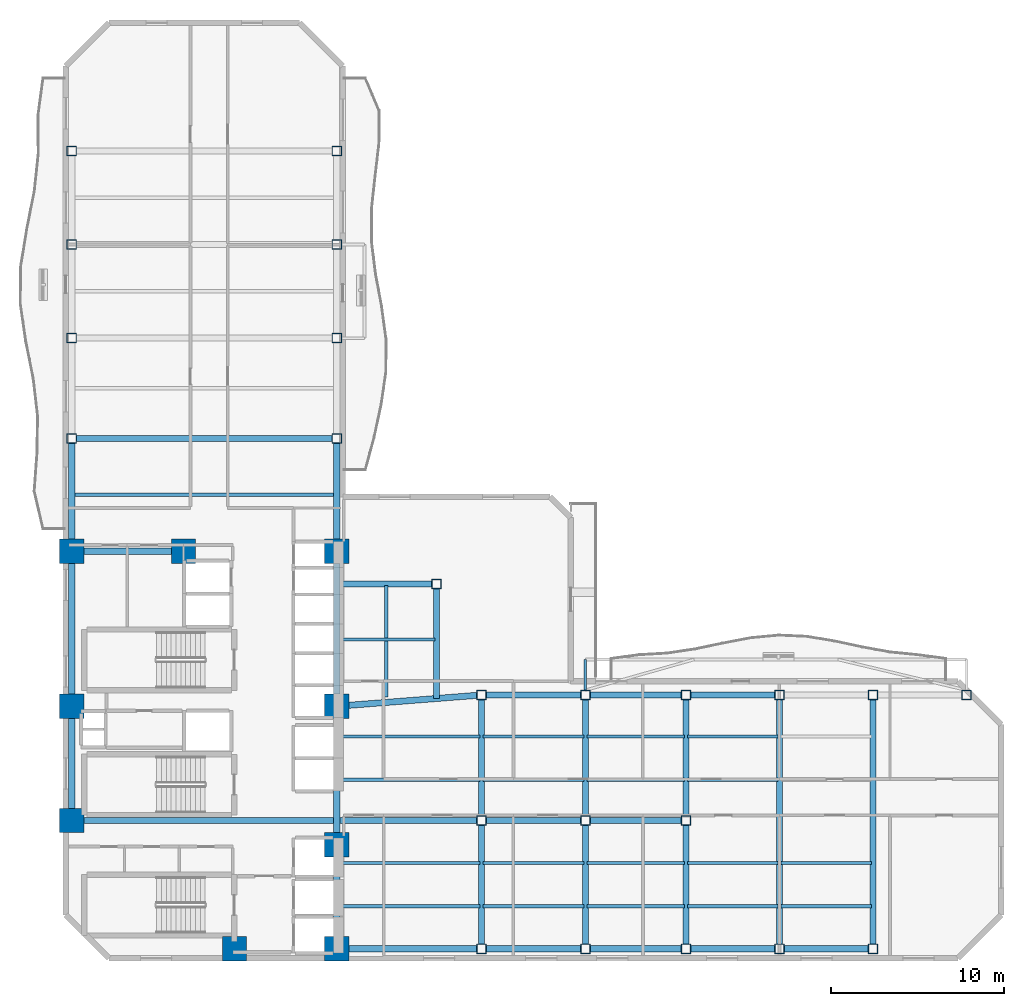
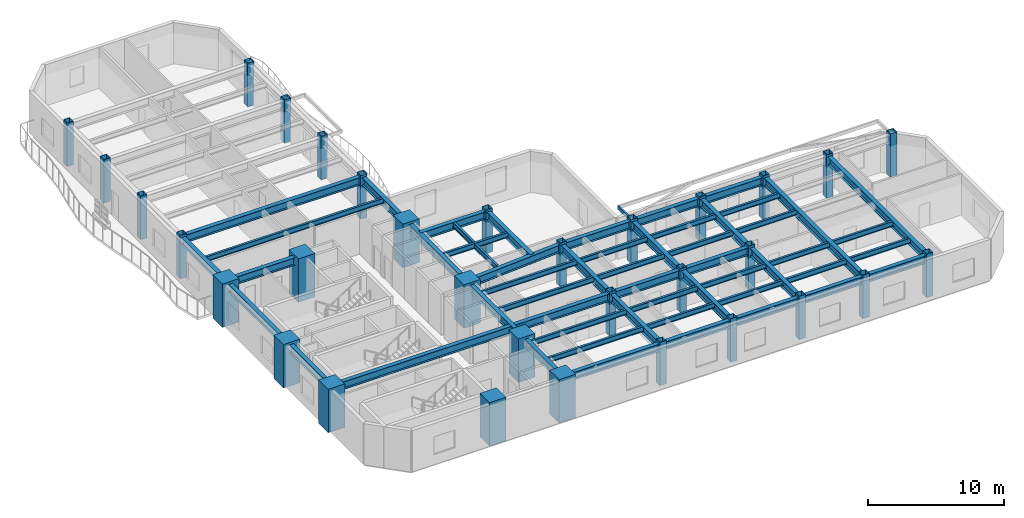
# One storey, part 1 of 10: 53 beams, 32 columns.
"""IFC4 building model written with IfcOpenShell, lengths in metres."""

from ifc_helpers import new_model, si_unit, direction, frame, origin, origin_2d, place, context, subcontext, project, spatial, rectangle, hollow_rectangle, i_section, extrude, material, material_profile, profile_set, type_object, element, save


model = new_model("IFC4")

# Units and contexts
model_context = context("Model", 3, precision=1e-05, world=origin(), true_north=direction((0.0, 1.0)))
body_context = subcontext(model_context, "Body", "Model", "MODEL_VIEW")
ifc_project = project(units=[si_unit("LENGTHUNIT", "METRE"), si_unit("AREAUNIT", "SQUARE_METRE"), si_unit("VOLUMEUNIT", "CUBIC_METRE"), si_unit("PLANEANGLEUNIT", "RADIAN"), si_unit("MASSUNIT", "GRAM", prefix="KILO")], contexts=[model_context])

# Site, building, storey
site_placement = place(None, origin())
site = spatial("IfcSite", under=ifc_project, at=site_placement, CompositionType="ELEMENT")
building_placement = place(site_placement, origin())
building = spatial("IfcBuilding", under=site, at=building_placement, Name="Mawjaban Terraces University", CompositionType="ELEMENT")
storey_placement = place(building_placement, frame((0.0, 0.0, 62.199951171875)))
storey = spatial("IfcBuildingStorey", under=building, at=storey_placement, Name="L14", CompositionType="ELEMENT", Elevation=62.199951171875)

# Columns
ifc_material_1 = material(Name="Concrete C70/85", Category="concrete")
ifc_material_profile_1 = material_profile(ifc_material_1, rectangle(XDim=1.39990234375, YDim=1.39990234375, at=origin_2d()), Name="RC1400X1400")
ifc_profile_set_1 = profile_set([ifc_material_profile_1], Name="Concrete C70/85")
column_type_1 = type_object("IfcColumnType", Name="Col_RC1400X1400", PredefinedType="COLUMN", material=ifc_profile_set_1)
for number, where, z_axis, x_axis, name in (
    (1, (31.75, 0.550048828125, 0.0), (0.0, 0.0, 1.0), (1.0, 0.0, 0.0), "L14 Column CC2"),
    (2, (37.64990234375, 0.550048828125, 0.0), (0.0, 0.0, 1.0), (1.0, 0.0, 0.0), "L14 Column CC3"),
    (3, (22.35009765625, 7.949951171875, 0.0), (0.0, 0.0, 1.0), (1.0, 0.0, 0.0), "L14 Column CC4"),
    (4, (37.64990234375, 6.550048828125, 0.0), (0.0, 0.0, 1.0), (1.0, 0.0, 0.0), "L14 Column CC5"),
    (5, (22.35009765625, 14.550048828125, 0.0), (0.0, 0.0, 1.0), (1.0, 0.0, 0.0), "L14 Column CC6"),
    (6, (37.64990234375, 14.550048828125, 0.0), (0.0, 0.0, 1.0), (1.0, 0.0, 0.0), "L14 Column CC7"),
    (7, (22.35009765625, 23.5, 0.0), (0.0, 0.0, 1.0), (1.0, 0.0, 0.0), "L14 Column CC8"),
    (8, (28.800048828125, 23.5, 0.0), (0.0, 0.0, 1.0), (1.0, 0.0, 0.0), "L14 Column CC9"),
    (9, (37.64990234375, 23.5, 0.0), (0.0, 0.0, 1.0), (1.0, 0.0, 0.0), "L14 Column CC10"),
):
    element("IfcColumn", number, at=place(storey_placement, frame(where, z_axis=z_axis, x_axis=x_axis)), inside=storey, type_object=column_type_1, Name=name, PredefinedType="COLUMN", context=body_context, shape_type="SweptSolid", body=[
        extrude(rectangle(XDim=1.39990234375, YDim=1.39990234375, at=origin_2d()), origin(), (0.0, 0.0, 1.0), 3.900146484375),
    ])
ifc_material_2 = material(Name="Steel EN 10210-1 S355J2H", Category="steel")
ifc_material_profile_2 = material_profile(ifc_material_2, hollow_rectangle(XDim=0.550048828125, YDim=0.550048828125, WallThickness=0.02490234375, at=origin_2d()), Name="SHS550X550X25")
ifc_profile_set_2 = profile_set([ifc_material_profile_2], Name="Steel EN 10210-1 S355J2H")
column_type_2 = type_object("IfcColumnType", Name="Col_SHS550X550X25", PredefinedType="COLUMN", material=ifc_profile_set_2)
for number, where, z_axis, x_axis, name in (
    (10, (46.0, 0.550048828125, 0.0), (0.0, 0.0, 1.0), (1.0, 0.0, 0.0), "L14 Column TE-460-005"),
    (11, (46.0, 7.949951171875, 0.0), (0.0, 0.0, 1.0), (1.0, 0.0, 0.0), "L14 Column TE-460-080"),
    (12, (46.0, 15.199951171875, 0.0), (0.0, 0.0, 1.0), (1.0, 0.0, 0.0), "L14 Column TE-460-152"),
    (13, (52.0, 0.550048828125, 0.0), (0.0, 0.0, 1.0), (1.0, 0.0, 0.0), "L14 Column TE-520-005"),
    (14, (52.0, 7.949951171875, 0.0), (0.0, 0.0, 1.0), (1.0, 0.0, 0.0), "L14 Column TE-520-080"),
    (15, (52.0, 15.199951171875, 0.0), (0.0, 0.0, 1.0), (1.0, 0.0, 0.0), "L14 Column TE-520-152"),
    (16, (57.800048828125, 0.550048828125, 0.0), (0.0, 0.0, 1.0), (1.0, 0.0, 0.0), "L14 Column TE-578-005"),
    (17, (57.800048828125, 7.949951171875, 0.0), (0.0, 0.0, 1.0), (1.0, 0.0, 0.0), "L14 Column TE-578-080"),
    (18, (57.800048828125, 15.199951171875, 0.0), (0.0, 0.0, 1.0), (1.0, 0.0, 0.0), "L14 Column TE-578-152"),
    (19, (63.199951171875, 0.550048828125, 0.0), (0.0, 0.0, 1.0), (1.0, 0.0, 0.0), "L14 Column TE-632-005"),
    (20, (63.199951171875, 15.199951171875, 0.0), (0.0, 0.0, 1.0), (1.0, 0.0, 0.0), "L14 Column TE-632-152"),
    (21, (68.60009765625, 0.550048828125, 0.0), (0.0, 0.0, 1.0), (1.0, 0.0, 0.0), "L14 Column TE-686-005"),
    (22, (68.60009765625, 15.199951171875, 0.0), (0.0, 0.0, 1.0), (1.0, 0.0, 0.0), "L14 Column TE-686-152"),
    (23, (74.0, 15.199951171875, 0.0), (0.0, 0.0, 1.0), (1.0, 0.0, 0.0), "L14 Column TE-740-152"),
    (24, (22.35009765625, 30.0, 0.0), (0.0, 0.0, 1.0), (1.0, 0.0, 0.0), "L14 Column TN-223-300"),
    (25, (37.64990234375, 30.0, 0.0), (0.0, 0.0, 1.0), (1.0, 0.0, 0.0), "L14 Column TN-376-300"),
    (26, (22.35009765625, 35.800048828125, 0.0), (0.0, 0.0, 1.0), (1.0, 0.0, 0.0), "L14 Column TN-223-358"),
    (27, (37.64990234375, 35.800048828125, 0.0), (0.0, 0.0, 1.0), (1.0, 0.0, 0.0), "L14 Column TN-376-358"),
    (28, (22.35009765625, 41.199951171875, 0.0), (0.0, 0.0, 1.0), (1.0, 0.0, 0.0), "L14 Column TN-223-412"),
    (29, (37.64990234375, 41.199951171875, 0.0), (0.0, 0.0, 1.0), (1.0, 0.0, 0.0), "L14 Column TN-376-412"),
    (30, (22.35009765625, 46.60009765625, 0.0), (0.0, 0.0, 1.0), (1.0, 0.0, 0.0), "L14 Column TN-223-466"),
    (31, (37.64990234375, 46.60009765625, 0.0), (0.0, 0.0, 1.0), (1.0, 0.0, 0.0), "L14 Column TN-376-466"),
    (32, (43.39990234375, 21.60009765625, 0.0), (0.0, 0.0, 1.0), (1.0, 0.0, 0.0), "L14 Column TS-434-216"),
):
    element("IfcColumn", number, at=place(storey_placement, frame(where, z_axis=z_axis, x_axis=x_axis)), inside=storey, type_object=column_type_2, Name=name, PredefinedType="COLUMN", context=body_context, shape_type="SweptSolid", body=[
        extrude(hollow_rectangle(XDim=0.550048828125, YDim=0.550048828125, WallThickness=0.02490234375, at=origin_2d()), origin(), (0.0, 0.0, 1.0), 3.900146484375),
    ])

# Beams
ifc_material_profile_3 = material_profile(ifc_material_2, hollow_rectangle(XDim=0.14990234375, YDim=0.300048828125, WallThickness=0.012451171875, at=origin_2d()), Name="RHS300X150X12.5")
ifc_profile_set_3 = profile_set([ifc_material_profile_3], Name="Steel EN 10210-1 S355J2H")
beam_type_1 = type_object("IfcBeamType", Name="BalconyCantileverSpandrel_RHS", PredefinedType="SPANDREL", material=ifc_profile_set_3)
beam_1_placement = place(storey_placement, frame((52.0, 15.47509765625, 3.5400390625), z_axis=(0.0, 1.0, 0.0), x_axis=(-1.0, 0.0, 0.0)))
element("IfcBeam", 33, at=beam_1_placement, inside=storey, type_object=beam_type_1, Name="L14 Exterior Outrigger BAL-L15-N.1", PredefinedType="SPANDREL", context=body_context, shape_type="SweptSolid", body=[
    extrude(hollow_rectangle(XDim=0.14990234375, YDim=0.300048828125, WallThickness=0.012451171875, at=origin_2d()), origin(), (0.0, 0.0, 1.0), 1.77490234375),
])
ifc_material_3 = material(Name="Steel ASTM A572 Grade 50", Category="steel")
ifc_material_profile_4 = material_profile(ifc_material_3, i_section(OverallWidth=0.35498046875, OverallDepth=0.695068359375, WebThickness=0.015380859375, FlangeThickness=0.02490234375, at=origin_2d()), Name="W690X217")
ifc_profile_set_4 = profile_set([ifc_material_profile_4], Name="Steel ASTM A572 Grade 50")
beam_type_2 = type_object("IfcBeamType", Name="Beam_B_W690X217", PredefinedType="BEAM", material=ifc_profile_set_4)
beam_2_placement = place(storey_placement, frame((38.35009765625, 0.550048828125, 3.343017578125), z_axis=(1.0, 0.0, 0.0), x_axis=(0.0, 1.0, 0.0)))
element("IfcBeam", 34, at=beam_2_placement, inside=storey, type_object=beam_type_2, Name="L14 Beam BM-L14-EW-01", PredefinedType="BEAM", context=body_context, shape_type="SweptSolid", body=[
    extrude(i_section(OverallWidth=0.35498046875, OverallDepth=0.695068359375, WebThickness=0.015380859375, FlangeThickness=0.02490234375, at=origin_2d()), origin(), (0.0, 0.0, 1.0), 7.375),
])
beam_3_placement = place(storey_placement, frame((46.27490234375, 0.550048828125, 3.343017578125), z_axis=(1.0, 0.0, 0.0), x_axis=(0.0, 1.0, 0.0)))
element("IfcBeam", 35, at=beam_3_placement, inside=storey, type_object=beam_type_2, Name="L14 Beam BM-L14-EW-02", PredefinedType="BEAM", context=body_context, shape_type="SweptSolid", body=[
    extrude(i_section(OverallWidth=0.35498046875, OverallDepth=0.695068359375, WebThickness=0.015380859375, FlangeThickness=0.02490234375, at=origin_2d()), origin(), (0.0, 0.0, 1.0), 5.4501953125),
])
beam_4_placement = place(storey_placement, frame((52.27490234375, 0.550048828125, 3.343017578125), z_axis=(1.0, 0.0, 0.0), x_axis=(0.0, 1.0, 0.0)))
element("IfcBeam", 36, at=beam_4_placement, inside=storey, type_object=beam_type_2, Name="L14 Beam BM-L14-EW-03", PredefinedType="BEAM", context=body_context, shape_type="SweptSolid", body=[
    extrude(i_section(OverallWidth=0.35498046875, OverallDepth=0.695068359375, WebThickness=0.015380859375, FlangeThickness=0.02490234375, at=origin_2d()), origin(), (0.0, 0.0, 1.0), 5.25),
])
beam_5_placement = place(storey_placement, frame((58.074951171875, 0.550048828125, 3.343017578125), z_axis=(1.0, 0.0, 0.0), x_axis=(0.0, 1.0, 0.0)))
element("IfcBeam", 37, at=beam_5_placement, inside=storey, type_object=beam_type_2, Name="L14 Beam BM-L14-EW-04", PredefinedType="BEAM", context=body_context, shape_type="SweptSolid", body=[
    extrude(i_section(OverallWidth=0.35498046875, OverallDepth=0.695068359375, WebThickness=0.015380859375, FlangeThickness=0.02490234375, at=origin_2d()), origin(), (0.0, 0.0, 1.0), 4.85009765625),
])
beam_6_placement = place(storey_placement, frame((63.47509765625, 0.550048828125, 3.343017578125), z_axis=(1.0, 0.0, 0.0), x_axis=(0.0, 1.0, 0.0)))
element("IfcBeam", 38, at=beam_6_placement, inside=storey, type_object=beam_type_2, Name="L14 Beam BM-L14-EW-05", PredefinedType="BEAM", context=body_context, shape_type="SweptSolid", body=[
    extrude(i_section(OverallWidth=0.35498046875, OverallDepth=0.695068359375, WebThickness=0.015380859375, FlangeThickness=0.02490234375, at=origin_2d()), origin(), (0.0, 0.0, 1.0), 4.849853515625),
])
beam_7_placement = place(storey_placement, frame((23.050048828125, 7.949951171875, 3.343017578125), z_axis=(1.0, 0.0, 0.0), x_axis=(0.0, 1.0, 0.0)))
element("IfcBeam", 39, at=beam_7_placement, inside=storey, type_object=beam_type_2, Name="L14 Beam BM-L14-EW-06", PredefinedType="BEAM", context=body_context, shape_type="SweptSolid", body=[
    extrude(i_section(OverallWidth=0.35498046875, OverallDepth=0.695068359375, WebThickness=0.015380859375, FlangeThickness=0.02490234375, at=origin_2d()), origin(), (0.0, 0.0, 1.0), 22.675048828125),
])
beam_8_placement = place(storey_placement, frame((46.27490234375, 7.949951171875, 3.343017578125), z_axis=(1.0, 0.0, 0.0), x_axis=(0.0, 1.0, 0.0)))
element("IfcBeam", 40, at=beam_8_placement, inside=storey, type_object=beam_type_2, Name="L14 Beam BM-L14-EW-07", PredefinedType="BEAM", context=body_context, shape_type="SweptSolid", body=[
    extrude(i_section(OverallWidth=0.35498046875, OverallDepth=0.695068359375, WebThickness=0.015380859375, FlangeThickness=0.02490234375, at=origin_2d()), origin(), (0.0, 0.0, 1.0), 5.4501953125),
])
beam_9_placement = place(storey_placement, frame((52.27490234375, 7.949951171875, 3.343017578125), z_axis=(1.0, 0.0, 0.0), x_axis=(0.0, 1.0, 0.0)))
element("IfcBeam", 41, at=beam_9_placement, inside=storey, type_object=beam_type_2, Name="L14 Beam BM-L14-EW-08", PredefinedType="BEAM", context=body_context, shape_type="SweptSolid", body=[
    extrude(i_section(OverallWidth=0.35498046875, OverallDepth=0.695068359375, WebThickness=0.015380859375, FlangeThickness=0.02490234375, at=origin_2d()), origin(), (0.0, 0.0, 1.0), 5.25),
])
beam_10_placement = place(storey_placement, frame((46.27490234375, 15.199951171875, 3.343017578125), z_axis=(1.0, 0.0, 0.0), x_axis=(0.0, 1.0, 0.0)))
element("IfcBeam", 42, at=beam_10_placement, inside=storey, type_object=beam_type_2, Name="L14 Beam BM-L14-EW-09", PredefinedType="BEAM", context=body_context, shape_type="SweptSolid", body=[
    extrude(i_section(OverallWidth=0.35498046875, OverallDepth=0.695068359375, WebThickness=0.015380859375, FlangeThickness=0.02490234375, at=origin_2d()), origin(), (0.0, 0.0, 1.0), 5.4501953125),
])
beam_11_placement = place(storey_placement, frame((52.27490234375, 15.199951171875, 3.343017578125), z_axis=(1.0, 0.0, 0.0), x_axis=(0.0, 1.0, 0.0)))
element("IfcBeam", 43, at=beam_11_placement, inside=storey, type_object=beam_type_2, Name="L14 Beam BM-L14-EW-10", PredefinedType="BEAM", context=body_context, shape_type="SweptSolid", body=[
    extrude(i_section(OverallWidth=0.35498046875, OverallDepth=0.695068359375, WebThickness=0.015380859375, FlangeThickness=0.02490234375, at=origin_2d()), origin(), (0.0, 0.0, 1.0), 5.25),
])
beam_12_placement = place(storey_placement, frame((58.074951171875, 15.199951171875, 3.343017578125), z_axis=(1.0, 0.0, 0.0), x_axis=(0.0, 1.0, 0.0)))
element("IfcBeam", 44, at=beam_12_placement, inside=storey, type_object=beam_type_2, Name="L14 Beam BM-L14-EW-11", PredefinedType="BEAM", context=body_context, shape_type="SweptSolid", body=[
    extrude(i_section(OverallWidth=0.35498046875, OverallDepth=0.695068359375, WebThickness=0.015380859375, FlangeThickness=0.02490234375, at=origin_2d()), origin(), (0.0, 0.0, 1.0), 4.85009765625),
])
beam_13_placement = place(storey_placement, frame((23.050048828125, 23.5, 3.343017578125), z_axis=(1.0, 0.0, 0.0), x_axis=(0.0, 1.0, 0.0)))
element("IfcBeam", 45, at=beam_13_placement, inside=storey, type_object=beam_type_2, Name="L14 Beam BM-L14-EW-14", PredefinedType="BEAM", context=body_context, shape_type="SweptSolid", body=[
    extrude(i_section(OverallWidth=0.35498046875, OverallDepth=0.695068359375, WebThickness=0.015380859375, FlangeThickness=0.02490234375, at=origin_2d()), origin(), (0.0, 0.0, 1.0), 5.050048828125),
])
beam_14_placement = place(storey_placement, frame((22.625, 30.0, 3.343017578125), z_axis=(1.0, 0.0, 0.0), x_axis=(0.0, 1.0, 0.0)))
element("IfcBeam", 46, at=beam_14_placement, inside=storey, type_object=beam_type_2, Name="L14 Beam BM-L14-EW-15", PredefinedType="BEAM", context=body_context, shape_type="SweptSolid", body=[
    extrude(i_section(OverallWidth=0.35498046875, OverallDepth=0.695068359375, WebThickness=0.015380859375, FlangeThickness=0.02490234375, at=origin_2d()), origin(), (0.0, 0.0, 1.0), 14.75),
])
beam_15_placement = place(storey_placement, frame((22.35009765625, 8.64990234375, 3.343017578125), z_axis=(0.0, 1.0, 0.0), x_axis=(-1.0, 0.0, 0.0)))
element("IfcBeam", 47, at=beam_15_placement, inside=storey, type_object=beam_type_2, Name="L14 Beam BM-L14-NS-01", PredefinedType="BEAM", context=body_context, shape_type="SweptSolid", body=[
    extrude(i_section(OverallWidth=0.35498046875, OverallDepth=0.695068359375, WebThickness=0.015380859375, FlangeThickness=0.02490234375, at=origin_2d()), origin(), (0.0, 0.0, 1.0), 5.2001953125),
])
beam_16_placement = place(storey_placement, frame((22.35009765625, 15.25, 3.343017578125), z_axis=(0.0, 1.0, 0.0), x_axis=(-1.0, 0.0, 0.0)))
element("IfcBeam", 48, at=beam_16_placement, inside=storey, type_object=beam_type_2, Name="L14 Beam BM-L14-NS-02", PredefinedType="BEAM", context=body_context, shape_type="SweptSolid", body=[
    extrude(i_section(OverallWidth=0.35498046875, OverallDepth=0.695068359375, WebThickness=0.015380859375, FlangeThickness=0.02490234375, at=origin_2d()), origin(), (0.0, 0.0, 1.0), 7.550048828125),
])
beam_17_placement = place(storey_placement, frame((22.35009765625, 24.199951171875, 3.343017578125), z_axis=(0.0, 1.0, 0.0), x_axis=(-1.0, 0.0, 0.0)))
element("IfcBeam", 49, at=beam_17_placement, inside=storey, type_object=beam_type_2, Name="L14 Beam BM-L14-NS-03", PredefinedType="BEAM", context=body_context, shape_type="SweptSolid", body=[
    extrude(i_section(OverallWidth=0.35498046875, OverallDepth=0.695068359375, WebThickness=0.015380859375, FlangeThickness=0.02490234375, at=origin_2d()), origin(), (0.0, 0.0, 1.0), 5.525146484375),
])
beam_18_placement = place(storey_placement, frame((37.64990234375, 1.25, 3.343017578125), z_axis=(0.0, 1.0, 0.0), x_axis=(-1.0, 0.0, 0.0)))
element("IfcBeam", 50, at=beam_18_placement, inside=storey, type_object=beam_type_2, Name="L14 Beam BM-L14-NS-07", PredefinedType="BEAM", context=body_context, shape_type="SweptSolid", body=[
    extrude(i_section(OverallWidth=0.35498046875, OverallDepth=0.695068359375, WebThickness=0.015380859375, FlangeThickness=0.02490234375, at=origin_2d()), origin(), (0.0, 0.0, 1.0), 4.60009765625),
])
beam_19_placement = place(storey_placement, frame((37.64990234375, 7.25, 3.343017578125), z_axis=(0.0, 1.0, 0.0), x_axis=(-1.0, 0.0, 0.0)))
element("IfcBeam", 51, at=beam_19_placement, inside=storey, type_object=beam_type_2, Name="L14 Beam BM-L14-NS-08", PredefinedType="BEAM", context=body_context, shape_type="SweptSolid", body=[
    extrude(i_section(OverallWidth=0.35498046875, OverallDepth=0.695068359375, WebThickness=0.015380859375, FlangeThickness=0.02490234375, at=origin_2d()), origin(), (0.0, 0.0, 1.0), 6.60009765625),
])
beam_20_placement = place(storey_placement, frame((37.64990234375, 15.25, 3.343017578125), z_axis=(0.0, 1.0, 0.0), x_axis=(-1.0, 0.0, 0.0)))
element("IfcBeam", 52, at=beam_20_placement, inside=storey, type_object=beam_type_2, Name="L14 Beam BM-L14-NS-09", PredefinedType="BEAM", context=body_context, shape_type="SweptSolid", body=[
    extrude(i_section(OverallWidth=0.35498046875, OverallDepth=0.695068359375, WebThickness=0.015380859375, FlangeThickness=0.02490234375, at=origin_2d()), origin(), (0.0, 0.0, 1.0), 7.550048828125),
])
beam_21_placement = place(storey_placement, frame((37.64990234375, 24.199951171875, 3.343017578125), z_axis=(0.0, 1.0, 0.0), x_axis=(-1.0, 0.0, 0.0)))
element("IfcBeam", 53, at=beam_21_placement, inside=storey, type_object=beam_type_2, Name="L14 Beam BM-L14-NS-10", PredefinedType="BEAM", context=body_context, shape_type="SweptSolid", body=[
    extrude(i_section(OverallWidth=0.35498046875, OverallDepth=0.695068359375, WebThickness=0.015380859375, FlangeThickness=0.02490234375, at=origin_2d()), origin(), (0.0, 0.0, 1.0), 5.525146484375),
])
beam_22_placement = place(storey_placement, frame((46.0, 0.824951171875, 3.343017578125), z_axis=(0.0, 1.0, 0.0), x_axis=(-1.0, 0.0, 0.0)))
element("IfcBeam", 54, at=beam_22_placement, inside=storey, type_object=beam_type_2, Name="L14 Beam BM-L14-NS-14", PredefinedType="BEAM", context=body_context, shape_type="SweptSolid", body=[
    extrude(i_section(OverallWidth=0.35498046875, OverallDepth=0.695068359375, WebThickness=0.015380859375, FlangeThickness=0.02490234375, at=origin_2d()), origin(), (0.0, 0.0, 1.0), 6.85009765625),
])
beam_23_placement = place(storey_placement, frame((46.0, 8.22509765625, 3.343017578125), z_axis=(0.0, 1.0, 0.0), x_axis=(-1.0, 0.0, 0.0)))
element("IfcBeam", 55, at=beam_23_placement, inside=storey, type_object=beam_type_2, Name="L14 Beam BM-L14-NS-15", PredefinedType="BEAM", context=body_context, shape_type="SweptSolid", body=[
    extrude(i_section(OverallWidth=0.35498046875, OverallDepth=0.695068359375, WebThickness=0.015380859375, FlangeThickness=0.02490234375, at=origin_2d()), origin(), (0.0, 0.0, 1.0), 6.699951171875),
])
beam_24_placement = place(storey_placement, frame((52.0, 0.824951171875, 3.343017578125), z_axis=(0.0, 1.0, 0.0), x_axis=(-1.0, 0.0, 0.0)))
element("IfcBeam", 56, at=beam_24_placement, inside=storey, type_object=beam_type_2, Name="L14 Beam BM-L14-NS-16", PredefinedType="BEAM", context=body_context, shape_type="SweptSolid", body=[
    extrude(i_section(OverallWidth=0.35498046875, OverallDepth=0.695068359375, WebThickness=0.015380859375, FlangeThickness=0.02490234375, at=origin_2d()), origin(), (0.0, 0.0, 1.0), 6.85009765625),
])
beam_25_placement = place(storey_placement, frame((52.0, 8.22509765625, 3.343017578125), z_axis=(0.0, 1.0, 0.0), x_axis=(-1.0, 0.0, 0.0)))
element("IfcBeam", 57, at=beam_25_placement, inside=storey, type_object=beam_type_2, Name="L14 Beam BM-L14-NS-17", PredefinedType="BEAM", context=body_context, shape_type="SweptSolid", body=[
    extrude(i_section(OverallWidth=0.35498046875, OverallDepth=0.695068359375, WebThickness=0.015380859375, FlangeThickness=0.02490234375, at=origin_2d()), origin(), (0.0, 0.0, 1.0), 6.699951171875),
])
beam_26_placement = place(storey_placement, frame((57.800048828125, 0.824951171875, 3.343017578125), z_axis=(0.0, 1.0, 0.0), x_axis=(-1.0, 0.0, 0.0)))
element("IfcBeam", 58, at=beam_26_placement, inside=storey, type_object=beam_type_2, Name="L14 Beam BM-L14-NS-18", PredefinedType="BEAM", context=body_context, shape_type="SweptSolid", body=[
    extrude(i_section(OverallWidth=0.35498046875, OverallDepth=0.695068359375, WebThickness=0.015380859375, FlangeThickness=0.02490234375, at=origin_2d()), origin(), (0.0, 0.0, 1.0), 6.85009765625),
])
beam_27_placement = place(storey_placement, frame((57.800048828125, 8.22509765625, 3.343017578125), z_axis=(0.0, 1.0, 0.0), x_axis=(-1.0, 0.0, 0.0)))
element("IfcBeam", 59, at=beam_27_placement, inside=storey, type_object=beam_type_2, Name="L14 Beam BM-L14-NS-19", PredefinedType="BEAM", context=body_context, shape_type="SweptSolid", body=[
    extrude(i_section(OverallWidth=0.35498046875, OverallDepth=0.695068359375, WebThickness=0.015380859375, FlangeThickness=0.02490234375, at=origin_2d()), origin(), (0.0, 0.0, 1.0), 6.699951171875),
])
for number, where, z_axis, x_axis, name in (
    (60, (63.199951171875, 0.824951171875, 3.343017578125), (0.0, 1.0, 0.0), (-1.0, 0.0, 0.0), "L14 Beam BM-L14-NS-20"),
    (61, (68.60009765625, 0.824951171875, 3.343017578125), (0.0, 1.0, 0.0), (-1.0, 0.0, 0.0), "L14 Beam BM-L14-NS-21"),
):
    element("IfcBeam", number, at=place(storey_placement, frame(where, z_axis=z_axis, x_axis=x_axis)), inside=storey, type_object=beam_type_2, Name=name, PredefinedType="BEAM", context=body_context, shape_type="SweptSolid", body=[
        extrude(i_section(OverallWidth=0.35498046875, OverallDepth=0.695068359375, WebThickness=0.015380859375, FlangeThickness=0.02490234375, at=origin_2d()), origin(), (0.0, 0.0, 1.0), 14.10009765625),
    ])
beam_28_placement = place(storey_placement, frame((38.347900390625, 14.60400390625, 3.343017578125), z_axis=(0.996977531908, 0.077690416851, 0.0), x_axis=(-0.077690416851, 0.996977531908, 0.0)))
element("IfcBeam", 62, at=beam_28_placement, inside=storey, type_object=beam_type_2, Name="L14 Beam BM-L14-CTIE", PredefinedType="BEAM", context=body_context, shape_type="SweptSolid", body=[
    extrude(i_section(OverallWidth=0.35498046875, OverallDepth=0.695068359375, WebThickness=0.015380859375, FlangeThickness=0.02490234375, at=origin_2d()), origin(), (0.0, 0.0, 1.0), 7.400634765625),
])
beam_29_placement = place(storey_placement, frame((37.679931640625, 21.60009765625, 3.343017578125), z_axis=(1.0, 0.0, 0.0), x_axis=(0.0, 1.0, 0.0)))
element("IfcBeam", 63, at=beam_29_placement, inside=storey, type_object=beam_type_2, Name="L14 Spur Tie Girder West", PredefinedType="BEAM", context=body_context, shape_type="SweptSolid", body=[
    extrude(i_section(OverallWidth=0.35498046875, OverallDepth=0.695068359375, WebThickness=0.015380859375, FlangeThickness=0.02490234375, at=origin_2d()), origin(), (0.0, 0.0, 1.0), 5.445068359375),
])
beam_30_placement = place(storey_placement, frame((43.39990234375, 15.0, 3.343017578125), z_axis=(0.0, 1.0, 0.0), x_axis=(-1.0, 0.0, 0.0)))
element("IfcBeam", 64, at=beam_30_placement, inside=storey, type_object=beam_type_2, Name="L14 Spur Tie Girder South", PredefinedType="BEAM", context=body_context, shape_type="SweptSolid", body=[
    extrude(i_section(OverallWidth=0.35498046875, OverallDepth=0.695068359375, WebThickness=0.015380859375, FlangeThickness=0.02490234375, at=origin_2d()), origin(), (0.0, 0.0, 1.0), 6.324951171875),
])
ifc_material_profile_5 = material_profile(ifc_material_3, i_section(OverallWidth=0.19189453125, OverallDepth=0.462890625, WebThickness=0.010498046875, FlangeThickness=0.017578125, at=origin_2d()), Name="W460X89")
ifc_profile_set_5 = profile_set([ifc_material_profile_5], Name="Steel ASTM A572 Grade 50")
beam_type_3 = type_object("IfcBeamType", Name="Beam_J_W460X89", PredefinedType="JOIST", material=ifc_profile_set_5)
beam_31_placement = place(storey_placement, frame((37.72998046875, 3.0, 3.458984375), z_axis=(1.0, 0.0, 0.0), x_axis=(0.0, 1.0, 0.0)))
element("IfcBeam", 65, at=beam_31_placement, inside=storey, type_object=beam_type_3, Name="L14 Composite Joist JST-L14-01", PredefinedType="JOIST", context=body_context, shape_type="SweptSolid", body=[
    extrude(i_section(OverallWidth=0.19189453125, OverallDepth=0.462890625, WebThickness=0.010498046875, FlangeThickness=0.017578125, at=origin_2d()), origin(), (0.0, 0.0, 1.0), 8.18994140625),
])
beam_32_placement = place(storey_placement, frame((46.080078125, 3.0, 3.458984375), z_axis=(1.0, 0.0, 0.0), x_axis=(0.0, 1.0, 0.0)))
element("IfcBeam", 66, at=beam_32_placement, inside=storey, type_object=beam_type_3, Name="L14 Composite Joist JST-L14-02", PredefinedType="JOIST", context=body_context, shape_type="SweptSolid", body=[
    extrude(i_section(OverallWidth=0.19189453125, OverallDepth=0.462890625, WebThickness=0.010498046875, FlangeThickness=0.017578125, at=origin_2d()), origin(), (0.0, 0.0, 1.0), 5.83984375),
])
beam_33_placement = place(storey_placement, frame((52.080078125, 3.0, 3.458984375), z_axis=(1.0, 0.0, 0.0), x_axis=(0.0, 1.0, 0.0)))
element("IfcBeam", 67, at=beam_33_placement, inside=storey, type_object=beam_type_3, Name="L14 Composite Joist JST-L14-03", PredefinedType="JOIST", context=body_context, shape_type="SweptSolid", body=[
    extrude(i_section(OverallWidth=0.19189453125, OverallDepth=0.462890625, WebThickness=0.010498046875, FlangeThickness=0.017578125, at=origin_2d()), origin(), (0.0, 0.0, 1.0), 5.639892578125),
])
beam_34_placement = place(storey_placement, frame((57.8798828125, 3.0, 3.458984375), z_axis=(1.0, 0.0, 0.0), x_axis=(0.0, 1.0, 0.0)))
element("IfcBeam", 68, at=beam_34_placement, inside=storey, type_object=beam_type_3, Name="L14 Composite Joist JST-L14-04", PredefinedType="JOIST", context=body_context, shape_type="SweptSolid", body=[
    extrude(i_section(OverallWidth=0.19189453125, OverallDepth=0.462890625, WebThickness=0.010498046875, FlangeThickness=0.017578125, at=origin_2d()), origin(), (0.0, 0.0, 1.0), 5.240234375),
])
beam_35_placement = place(storey_placement, frame((63.280029296875, 3.0, 3.458984375), z_axis=(1.0, 0.0, 0.0), x_axis=(0.0, 1.0, 0.0)))
element("IfcBeam", 69, at=beam_35_placement, inside=storey, type_object=beam_type_3, Name="L14 Composite Joist JST-L14-05", PredefinedType="JOIST", context=body_context, shape_type="SweptSolid", body=[
    extrude(i_section(OverallWidth=0.19189453125, OverallDepth=0.462890625, WebThickness=0.010498046875, FlangeThickness=0.017578125, at=origin_2d()), origin(), (0.0, 0.0, 1.0), 5.239990234375),
])
beam_36_placement = place(storey_placement, frame((37.72998046875, 5.5, 3.458984375), z_axis=(1.0, 0.0, 0.0), x_axis=(0.0, 1.0, 0.0)))
element("IfcBeam", 70, at=beam_36_placement, inside=storey, type_object=beam_type_3, Name="L14 Composite Joist JST-L14-06", PredefinedType="JOIST", context=body_context, shape_type="SweptSolid", body=[
    extrude(i_section(OverallWidth=0.19189453125, OverallDepth=0.462890625, WebThickness=0.010498046875, FlangeThickness=0.017578125, at=origin_2d()), origin(), (0.0, 0.0, 1.0), 8.18994140625),
])
beam_37_placement = place(storey_placement, frame((46.080078125, 5.5, 3.458984375), z_axis=(1.0, 0.0, 0.0), x_axis=(0.0, 1.0, 0.0)))
element("IfcBeam", 71, at=beam_37_placement, inside=storey, type_object=beam_type_3, Name="L14 Composite Joist JST-L14-07", PredefinedType="JOIST", context=body_context, shape_type="SweptSolid", body=[
    extrude(i_section(OverallWidth=0.19189453125, OverallDepth=0.462890625, WebThickness=0.010498046875, FlangeThickness=0.017578125, at=origin_2d()), origin(), (0.0, 0.0, 1.0), 5.83984375),
])
beam_38_placement = place(storey_placement, frame((52.080078125, 5.5, 3.458984375), z_axis=(1.0, 0.0, 0.0), x_axis=(0.0, 1.0, 0.0)))
element("IfcBeam", 72, at=beam_38_placement, inside=storey, type_object=beam_type_3, Name="L14 Composite Joist JST-L14-08", PredefinedType="JOIST", context=body_context, shape_type="SweptSolid", body=[
    extrude(i_section(OverallWidth=0.19189453125, OverallDepth=0.462890625, WebThickness=0.010498046875, FlangeThickness=0.017578125, at=origin_2d()), origin(), (0.0, 0.0, 1.0), 5.639892578125),
])
beam_39_placement = place(storey_placement, frame((57.8798828125, 5.5, 3.458984375), z_axis=(1.0, 0.0, 0.0), x_axis=(0.0, 1.0, 0.0)))
element("IfcBeam", 73, at=beam_39_placement, inside=storey, type_object=beam_type_3, Name="L14 Composite Joist JST-L14-09", PredefinedType="JOIST", context=body_context, shape_type="SweptSolid", body=[
    extrude(i_section(OverallWidth=0.19189453125, OverallDepth=0.462890625, WebThickness=0.010498046875, FlangeThickness=0.017578125, at=origin_2d()), origin(), (0.0, 0.0, 1.0), 5.240234375),
])
beam_40_placement = place(storey_placement, frame((63.280029296875, 5.5, 3.458984375), z_axis=(1.0, 0.0, 0.0), x_axis=(0.0, 1.0, 0.0)))
element("IfcBeam", 74, at=beam_40_placement, inside=storey, type_object=beam_type_3, Name="L14 Composite Joist JST-L14-10", PredefinedType="JOIST", context=body_context, shape_type="SweptSolid", body=[
    extrude(i_section(OverallWidth=0.19189453125, OverallDepth=0.462890625, WebThickness=0.010498046875, FlangeThickness=0.017578125, at=origin_2d()), origin(), (0.0, 0.0, 1.0), 5.239990234375),
])
beam_41_placement = place(storey_placement, frame((37.72998046875, 10.300048828125, 3.458984375), z_axis=(1.0, 0.0, 0.0), x_axis=(0.0, 1.0, 0.0)))
element("IfcBeam", 75, at=beam_41_placement, inside=storey, type_object=beam_type_3, Name="L14 Composite Joist JST-L14-11", PredefinedType="JOIST", context=body_context, shape_type="SweptSolid", body=[
    extrude(i_section(OverallWidth=0.19189453125, OverallDepth=0.462890625, WebThickness=0.010498046875, FlangeThickness=0.017578125, at=origin_2d()), origin(), (0.0, 0.0, 1.0), 8.18994140625),
])
beam_42_placement = place(storey_placement, frame((46.080078125, 10.300048828125, 3.458984375), z_axis=(1.0, 0.0, 0.0), x_axis=(0.0, 1.0, 0.0)))
element("IfcBeam", 76, at=beam_42_placement, inside=storey, type_object=beam_type_3, Name="L14 Composite Joist JST-L14-12", PredefinedType="JOIST", context=body_context, shape_type="SweptSolid", body=[
    extrude(i_section(OverallWidth=0.19189453125, OverallDepth=0.462890625, WebThickness=0.010498046875, FlangeThickness=0.017578125, at=origin_2d()), origin(), (0.0, 0.0, 1.0), 5.83984375),
])
beam_43_placement = place(storey_placement, frame((52.080078125, 10.300048828125, 3.458984375), z_axis=(1.0, 0.0, 0.0), x_axis=(0.0, 1.0, 0.0)))
element("IfcBeam", 77, at=beam_43_placement, inside=storey, type_object=beam_type_3, Name="L14 Composite Joist JST-L14-13", PredefinedType="JOIST", context=body_context, shape_type="SweptSolid", body=[
    extrude(i_section(OverallWidth=0.19189453125, OverallDepth=0.462890625, WebThickness=0.010498046875, FlangeThickness=0.017578125, at=origin_2d()), origin(), (0.0, 0.0, 1.0), 5.639892578125),
])
beam_44_placement = place(storey_placement, frame((57.8798828125, 10.300048828125, 3.458984375), z_axis=(1.0, 0.0, 0.0), x_axis=(0.0, 1.0, 0.0)))
element("IfcBeam", 78, at=beam_44_placement, inside=storey, type_object=beam_type_3, Name="L14 Composite Joist JST-L14-14", PredefinedType="JOIST", context=body_context, shape_type="SweptSolid", body=[
    extrude(i_section(OverallWidth=0.19189453125, OverallDepth=0.462890625, WebThickness=0.010498046875, FlangeThickness=0.017578125, at=origin_2d()), origin(), (0.0, 0.0, 1.0), 5.240234375),
])
beam_45_placement = place(storey_placement, frame((37.72998046875, 12.800048828125, 3.458984375), z_axis=(1.0, 0.0, 0.0), x_axis=(0.0, 1.0, 0.0)))
element("IfcBeam", 79, at=beam_45_placement, inside=storey, type_object=beam_type_3, Name="L14 Composite Joist JST-L14-16", PredefinedType="JOIST", context=body_context, shape_type="SweptSolid", body=[
    extrude(i_section(OverallWidth=0.19189453125, OverallDepth=0.462890625, WebThickness=0.010498046875, FlangeThickness=0.017578125, at=origin_2d()), origin(), (0.0, 0.0, 1.0), 8.18994140625),
])
beam_46_placement = place(storey_placement, frame((46.080078125, 12.800048828125, 3.458984375), z_axis=(1.0, 0.0, 0.0), x_axis=(0.0, 1.0, 0.0)))
element("IfcBeam", 80, at=beam_46_placement, inside=storey, type_object=beam_type_3, Name="L14 Composite Joist JST-L14-17", PredefinedType="JOIST", context=body_context, shape_type="SweptSolid", body=[
    extrude(i_section(OverallWidth=0.19189453125, OverallDepth=0.462890625, WebThickness=0.010498046875, FlangeThickness=0.017578125, at=origin_2d()), origin(), (0.0, 0.0, 1.0), 5.83984375),
])
beam_47_placement = place(storey_placement, frame((52.080078125, 12.800048828125, 3.458984375), z_axis=(1.0, 0.0, 0.0), x_axis=(0.0, 1.0, 0.0)))
element("IfcBeam", 81, at=beam_47_placement, inside=storey, type_object=beam_type_3, Name="L14 Composite Joist JST-L14-18", PredefinedType="JOIST", context=body_context, shape_type="SweptSolid", body=[
    extrude(i_section(OverallWidth=0.19189453125, OverallDepth=0.462890625, WebThickness=0.010498046875, FlangeThickness=0.017578125, at=origin_2d()), origin(), (0.0, 0.0, 1.0), 5.639892578125),
])
beam_48_placement = place(storey_placement, frame((57.8798828125, 12.800048828125, 3.458984375), z_axis=(1.0, 0.0, 0.0), x_axis=(0.0, 1.0, 0.0)))
element("IfcBeam", 82, at=beam_48_placement, inside=storey, type_object=beam_type_3, Name="L14 Composite Joist JST-L14-19", PredefinedType="JOIST", context=body_context, shape_type="SweptSolid", body=[
    extrude(i_section(OverallWidth=0.19189453125, OverallDepth=0.462890625, WebThickness=0.010498046875, FlangeThickness=0.017578125, at=origin_2d()), origin(), (0.0, 0.0, 1.0), 5.240234375),
])
beam_49_placement = place(storey_placement, frame((37.72998046875, 18.39990234375, 3.458984375), z_axis=(1.0, 0.0, 0.0), x_axis=(0.0, 1.0, 0.0)))
element("IfcBeam", 83, at=beam_49_placement, inside=storey, type_object=beam_type_3, Name="L14 Composite Joist JST-L14-21", PredefinedType="JOIST", context=body_context, shape_type="SweptSolid", body=[
    extrude(i_section(OverallWidth=0.19189453125, OverallDepth=0.462890625, WebThickness=0.010498046875, FlangeThickness=0.017578125, at=origin_2d()), origin(), (0.0, 0.0, 1.0), 5.590087890625),
])
beam_50_placement = place(storey_placement, frame((22.429931640625, 26.75, 3.458984375), z_axis=(1.0, 0.0, 0.0), x_axis=(0.0, 1.0, 0.0)))
element("IfcBeam", 84, at=beam_50_placement, inside=storey, type_object=beam_type_3, Name="L14 Composite Joist JST-L14-22", PredefinedType="JOIST", context=body_context, shape_type="SweptSolid", body=[
    extrude(i_section(OverallWidth=0.19189453125, OverallDepth=0.462890625, WebThickness=0.010498046875, FlangeThickness=0.017578125, at=origin_2d()), origin(), (0.0, 0.0, 1.0), 15.14013671875),
])
beam_51_placement = place(storey_placement, frame((40.5, 15.080078125, 3.458984375), z_axis=(0.0, 1.0, 0.0), x_axis=(-1.0, 0.0, 0.0)))
element("IfcBeam", 85, at=beam_51_placement, inside=storey, type_object=beam_type_3, Name="L14 Composite Joist JST-L14-NS-26", PredefinedType="JOIST", context=body_context, shape_type="SweptSolid", body=[
    extrude(i_section(OverallWidth=0.19189453125, OverallDepth=0.462890625, WebThickness=0.010498046875, FlangeThickness=0.017578125, at=origin_2d()), origin(), (0.0, 0.0, 1.0), 6.43994140625),
])

save(model, "model.ifc")
